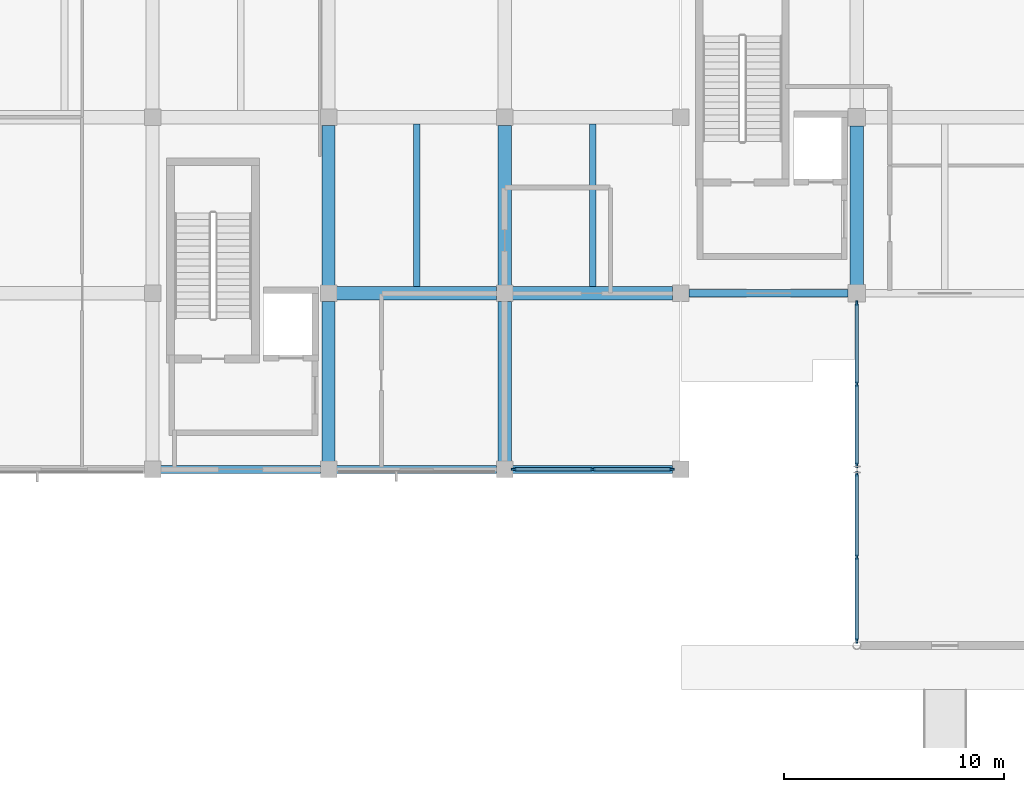
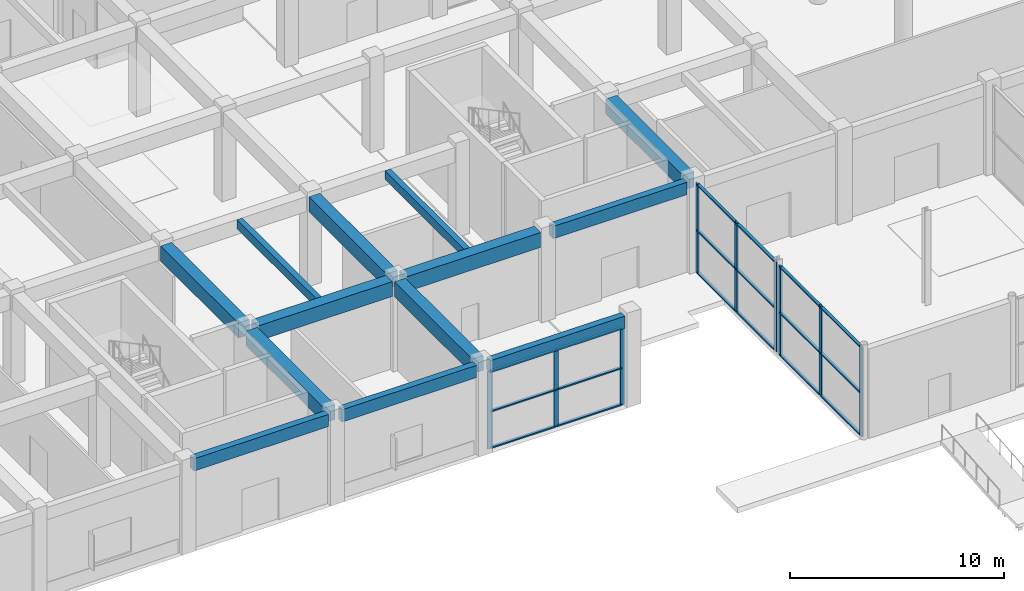
# One storey, part 15 of 86: 27 members, 13 beams, 3 elements without a shape of their own.
"""IFC4 building model written with IfcOpenShell, lengths in metres."""

from ifc_helpers import new_model, si_unit, direction, frame, origin, origin_2d, place, context, subcontext, project, spatial, rectangle, extrude, material, material_profile, profile_set, type_object, element, aggregate, save


model = new_model("IFC4")

# Units and contexts
model_context = context("Model", 3, precision=1e-05, world=origin(), true_north=direction((0.0, 1.0)))
body_context = subcontext(model_context, "Body", "Model", "MODEL_VIEW")
ifc_project = project(units=[si_unit("LENGTHUNIT", "METRE"), si_unit("AREAUNIT", "SQUARE_METRE"), si_unit("VOLUMEUNIT", "CUBIC_METRE"), si_unit("PLANEANGLEUNIT", "RADIAN"), si_unit("MASSUNIT", "GRAM", prefix="KILO")], contexts=[model_context])

# Site, building, storey
site_placement = place(None, origin())
site = spatial("IfcSite", under=ifc_project, at=site_placement, CompositionType="ELEMENT")
building_placement = place(site_placement, origin())
building = spatial("IfcBuilding", under=site, at=building_placement, Name="Kenh Van Central Station", CompositionType="ELEMENT")
storey_placement = place(building_placement, origin())
storey = spatial("IfcBuildingStorey", under=building, at=storey_placement, Name="L00", CompositionType="ELEMENT", Elevation=0.0)

# Beams
ifc_material_1 = material(Name="Concrete C35/45", Category="concrete")
ifc_material_profile_1 = material_profile(ifc_material_1, rectangle(XDim=0.60009765625, YDim=0.85009765625, at=origin_2d()), Name="RC 600x850")
ifc_profile_set_1 = profile_set([ifc_material_profile_1], Name="Concrete C35/45")
beam_type_1 = type_object("IfcBeamType", Name="BM-RC-600x850", PredefinedType="BEAM", material=ifc_profile_set_1)
for number, where, z_axis, x_axis, name in (
    (1, (32.364990234375, 16.0, 4.695068359375), (1.0, 0.0, 0.0), (0.0, 1.0, 0.0), "L00 beam 0362"),
    (2, (40.364990234375, 16.0, 4.695068359375), (1.0, 0.0, 0.0), (0.0, 1.0, 0.0), "L00 beam 0363"),
    (3, (32.0, 8.364990234375, 4.695068359375), (0.0, 1.0, 0.0), (-1.0, 0.0, 0.0), "L00 beam 0487"),
    (4, (32.0, 16.364990234375, 4.695068359375), (0.0, 1.0, 0.0), (-1.0, 0.0, 0.0), "L00 beam 0488"),
    (5, (40.0, 8.364990234375, 4.695068359375), (0.0, 1.0, 0.0), (-1.0, 0.0, 0.0), "L00 beam 0494"),
    (6, (40.0, 16.364990234375, 4.695068359375), (0.0, 1.0, 0.0), (-1.0, 0.0, 0.0), "L00 beam 0495"),
):
    element("IfcBeam", number, at=place(storey_placement, frame(where, z_axis=z_axis, x_axis=x_axis)), inside=storey, type_object=beam_type_1, Name=name, PredefinedType="BEAM", context=body_context, shape_type="SweptSolid", body=[
        extrude(rectangle(XDim=0.60009765625, YDim=0.85009765625, at=origin_2d()), origin(), (0.0, 0.0, 1.0), 7.27001953125),
    ])
beam_1_placement = place(storey_placement, frame((56.0, 16.389892578125, 4.695068359375), z_axis=(0.0, 1.0, 0.0), x_axis=(-1.0, 0.0, 0.0)))
element("IfcBeam", 7, at=beam_1_placement, inside=storey, type_object=beam_type_1, Name="L00 beam 0501", PredefinedType="BEAM", context=body_context, shape_type="SweptSolid", body=[
    extrude(rectangle(XDim=0.60009765625, YDim=0.85009765625, at=origin_2d()), origin(), (0.0, 0.0, 1.0), 7.22021484375),
])

# Curtain wall, members
ifc_material_2 = material(Name="Champagne anodised aluminium", Category="aluminium")
curtain_wall_type_1 = type_object("IfcCurtainWallType", Name="CW-RETL-A", PredefinedType="NOTDEFINED", material=ifc_material_2)
curtain_wall_1_placement = place(storey_placement, origin())
curtain_wall_1 = element("IfcCurtainWall", 8, at=curtain_wall_1_placement, inside=storey, type_object=curtain_wall_type_1, Name="L00 curtain wall 039", PredefinedType="NOTDEFINED")
ifc_material_profile_2 = material_profile(ifc_material_2, rectangle(XDim=0.0849609375, YDim=0.23193359375, at=origin_2d()), Name="AL 85x232")
ifc_profile_set_2 = profile_set([ifc_material_profile_2], Name="Champagne anodised aluminium")
member_type_1 = type_object("IfcMemberType", Name="CWM-65x160", PredefinedType="MULLION", material=ifc_profile_set_2)
member_1_placement = place(storey_placement, frame((56.0, 15.5576171875, 0.0), z_axis=(0.0, 0.0, 1.0), x_axis=(1.0, 0.0, 0.0)))
member_1 = element("IfcMember", 9, at=member_1_placement, type_object=member_type_1, Name="CW-05 mullion 1", PredefinedType="MULLION", context=body_context, shape_type="SweptSolid", body=[
    extrude(rectangle(XDim=0.0849609375, YDim=0.23193359375, at=origin_2d()), origin(), (0.0, 0.0, 1.0), 5.10009765625),
])
member_2_placement = place(storey_placement, frame((56.0, 11.875, 0.0), z_axis=(0.0, 0.0, 1.0), x_axis=(1.0, 0.0, 0.0)))
member_2 = element("IfcMember", 10, at=member_2_placement, type_object=member_type_1, Name="CW-05 mullion 2", PredefinedType="MULLION", context=body_context, shape_type="SweptSolid", body=[
    extrude(rectangle(XDim=0.0849609375, YDim=0.23193359375, at=origin_2d()), origin(), (0.0, 0.0, 1.0), 5.10009765625),
])
member_3_placement = place(storey_placement, frame((56.0, 8.1923828125, 0.0), z_axis=(0.0, 0.0, 1.0), x_axis=(1.0, 0.0, 0.0)))
member_3 = element("IfcMember", 11, at=member_3_placement, type_object=member_type_1, Name="CW-05 mullion 3", PredefinedType="MULLION", context=body_context, shape_type="SweptSolid", body=[
    extrude(rectangle(XDim=0.0849609375, YDim=0.23193359375, at=origin_2d()), origin(), (0.0, 0.0, 1.0), 5.10009765625),
])

curtain_wall_2_placement = place(storey_placement, origin())
curtain_wall_2 = element("IfcCurtainWall", 12, at=curtain_wall_2_placement, inside=storey, type_object=curtain_wall_type_1, Name="L00 curtain wall 040", PredefinedType="NOTDEFINED")
member_4_placement = place(storey_placement, frame((56.0, 7.8076171875, 0.0), z_axis=(0.0, 0.0, 1.0), x_axis=(1.0, 0.0, 0.0)))
member_4 = element("IfcMember", 13, at=member_4_placement, type_object=member_type_1, Name="CW-05 mullion 1", PredefinedType="MULLION", context=body_context, shape_type="SweptSolid", body=[
    extrude(rectangle(XDim=0.0849609375, YDim=0.23193359375, at=origin_2d()), origin(), (0.0, 0.0, 1.0), 5.10009765625),
])
member_5_placement = place(storey_placement, frame((56.0, 4.013916015625, 0.0), z_axis=(0.0, 0.0, 1.0), x_axis=(1.0, 0.0, 0.0)))
member_5 = element("IfcMember", 14, at=member_5_placement, type_object=member_type_1, Name="CW-05 mullion 2", PredefinedType="MULLION", context=body_context, shape_type="SweptSolid", body=[
    extrude(rectangle(XDim=0.0849609375, YDim=0.23193359375, at=origin_2d()), origin(), (0.0, 0.0, 1.0), 5.10009765625),
])
member_6_placement = place(storey_placement, frame((56.0, 0.22021484375, 0.0), z_axis=(0.0, 0.0, 1.0), x_axis=(1.0, 0.0, 0.0)))
member_6 = element("IfcMember", 15, at=member_6_placement, type_object=member_type_1, Name="CW-05 mullion 3", PredefinedType="MULLION", context=body_context, shape_type="SweptSolid", body=[
    extrude(rectangle(XDim=0.0849609375, YDim=0.23193359375, at=origin_2d()), origin(), (0.0, 0.0, 1.0), 5.10009765625),
])

curtain_wall_type_2 = type_object("IfcCurtainWallType", Name="CW-RETL-B", PredefinedType="NOTDEFINED", material=ifc_material_2)
curtain_wall_3_placement = place(storey_placement, origin())
curtain_wall_3 = element("IfcCurtainWall", 16, at=curtain_wall_3_placement, inside=storey, type_object=curtain_wall_type_2, Name="L00 curtain wall 048", PredefinedType="NOTDEFINED")
member_7_placement = place(storey_placement, frame((40.41748046875, 8.0, 0.0), z_axis=(0.0, 0.0, 1.0), x_axis=(0.0, 1.0, 0.0)))
member_7 = element("IfcMember", 17, at=member_7_placement, type_object=member_type_1, Name="CW-06 mullion 1", PredefinedType="MULLION", context=body_context, shape_type="SweptSolid", body=[
    extrude(rectangle(XDim=0.0849609375, YDim=0.23193359375, at=origin_2d()), origin(), (0.0, 0.0, 1.0), 4.419921875),
])
member_8_placement = place(storey_placement, frame((44.0, 8.0, 0.0), z_axis=(0.0, 0.0, 1.0), x_axis=(0.0, 1.0, 0.0)))
member_8 = element("IfcMember", 18, at=member_8_placement, type_object=member_type_1, Name="CW-06 mullion 2", PredefinedType="MULLION", context=body_context, shape_type="SweptSolid", body=[
    extrude(rectangle(XDim=0.0849609375, YDim=0.23193359375, at=origin_2d()), origin(), (0.0, 0.0, 1.0), 4.419921875),
])
member_9_placement = place(storey_placement, frame((47.58251953125, 8.0, 0.0), z_axis=(0.0, 0.0, 1.0), x_axis=(0.0, 1.0, 0.0)))
member_9 = element("IfcMember", 19, at=member_9_placement, type_object=member_type_1, Name="CW-06 mullion 3", PredefinedType="MULLION", context=body_context, shape_type="SweptSolid", body=[
    extrude(rectangle(XDim=0.0849609375, YDim=0.23193359375, at=origin_2d()), origin(), (0.0, 0.0, 1.0), 4.419921875),
])

# Member
ifc_material_profile_3 = material_profile(ifc_material_2, rectangle(XDim=0.155029296875, YDim=0.072021484375, at=origin_2d()), Name="AL 155x72")
ifc_profile_set_3 = profile_set([ifc_material_profile_3], Name="Champagne anodised aluminium")
member_type_2 = type_object("IfcMemberType", Name="CWT-120x60", PredefinedType="USERDEFINED", material=ifc_profile_set_3)
member_10_placement = place(storey_placement, frame((56.0, 15.514892578125, 0.035888671875), z_axis=(0.0, -1.0, 0.0), x_axis=(1.0, 0.0, 0.0)))
member_10 = element("IfcMember", 20, at=member_10_placement, type_object=member_type_2, Name="CW-05 transom 1.1", ObjectType="TRANSOM", PredefinedType="USERDEFINED", context=body_context, shape_type="SweptSolid", body=[
    extrude(rectangle(XDim=0.155029296875, YDim=0.072021484375, at=origin_2d()), origin(), (0.0, 0.0, 1.0), 3.597412109375),
])

member_11_placement = place(storey_placement, frame((56.0, 15.514892578125, 2.447998046875), z_axis=(0.0, -1.0, 0.0), x_axis=(1.0, 0.0, 0.0)))
member_11 = element("IfcMember", 21, at=member_11_placement, type_object=member_type_2, Name="CW-05 transom 1.2", ObjectType="TRANSOM", PredefinedType="USERDEFINED", context=body_context, shape_type="SweptSolid", body=[
    extrude(rectangle(XDim=0.155029296875, YDim=0.072021484375, at=origin_2d()), origin(), (0.0, 0.0, 1.0), 3.597412109375),
])

member_12_placement = place(storey_placement, frame((56.0, 15.514892578125, 5.06396484375), z_axis=(0.0, -1.0, 0.0), x_axis=(1.0, 0.0, 0.0)))
member_12 = element("IfcMember", 22, at=member_12_placement, type_object=member_type_2, Name="CW-05 transom 1.3", ObjectType="TRANSOM", PredefinedType="USERDEFINED", context=body_context, shape_type="SweptSolid", body=[
    extrude(rectangle(XDim=0.155029296875, YDim=0.072021484375, at=origin_2d()), origin(), (0.0, 0.0, 1.0), 3.597412109375),
])

member_13_placement = place(storey_placement, frame((56.0, 11.83251953125, 0.035888671875), z_axis=(0.0, -1.0, 0.0), x_axis=(1.0, 0.0, 0.0)))
member_13 = element("IfcMember", 23, at=member_13_placement, type_object=member_type_2, Name="CW-05 transom 2.1", ObjectType="TRANSOM", PredefinedType="USERDEFINED", context=body_context, shape_type="SweptSolid", body=[
    extrude(rectangle(XDim=0.155029296875, YDim=0.072021484375, at=origin_2d()), origin(), (0.0, 0.0, 1.0), 3.597412109375),
])

member_14_placement = place(storey_placement, frame((56.0, 11.83251953125, 2.447998046875), z_axis=(0.0, -1.0, 0.0), x_axis=(1.0, 0.0, 0.0)))
member_14 = element("IfcMember", 24, at=member_14_placement, type_object=member_type_2, Name="CW-05 transom 2.2", ObjectType="TRANSOM", PredefinedType="USERDEFINED", context=body_context, shape_type="SweptSolid", body=[
    extrude(rectangle(XDim=0.155029296875, YDim=0.072021484375, at=origin_2d()), origin(), (0.0, 0.0, 1.0), 3.597412109375),
])

member_15_placement = place(storey_placement, frame((56.0, 11.83251953125, 5.06396484375), z_axis=(0.0, -1.0, 0.0), x_axis=(1.0, 0.0, 0.0)))
member_15 = element("IfcMember", 25, at=member_15_placement, type_object=member_type_2, Name="CW-05 transom 2.3", ObjectType="TRANSOM", PredefinedType="USERDEFINED", context=body_context, shape_type="SweptSolid", body=[
    extrude(rectangle(XDim=0.155029296875, YDim=0.072021484375, at=origin_2d()), origin(), (0.0, 0.0, 1.0), 3.597412109375),
])

aggregate(curtain_wall_1, [member_1, member_2, member_3, member_10, member_11, member_12, member_13, member_14, member_15])

member_16_placement = place(storey_placement, frame((56.0, 7.764892578125, 0.035888671875), z_axis=(0.0, -1.0, 0.0), x_axis=(1.0, 0.0, 0.0)))
member_16 = element("IfcMember", 26, at=member_16_placement, type_object=member_type_2, Name="CW-05 transom 1.1", ObjectType="TRANSOM", PredefinedType="USERDEFINED", context=body_context, shape_type="SweptSolid", body=[
    extrude(rectangle(XDim=0.155029296875, YDim=0.072021484375, at=origin_2d()), origin(), (0.0, 0.0, 1.0), 3.70849609375),
])

member_17_placement = place(storey_placement, frame((56.0, 7.764892578125, 2.447998046875), z_axis=(0.0, -1.0, 0.0), x_axis=(1.0, 0.0, 0.0)))
member_17 = element("IfcMember", 27, at=member_17_placement, type_object=member_type_2, Name="CW-05 transom 1.2", ObjectType="TRANSOM", PredefinedType="USERDEFINED", context=body_context, shape_type="SweptSolid", body=[
    extrude(rectangle(XDim=0.155029296875, YDim=0.072021484375, at=origin_2d()), origin(), (0.0, 0.0, 1.0), 3.70849609375),
])

member_18_placement = place(storey_placement, frame((56.0, 7.764892578125, 5.06396484375), z_axis=(0.0, -1.0, 0.0), x_axis=(1.0, 0.0, 0.0)))
member_18 = element("IfcMember", 28, at=member_18_placement, type_object=member_type_2, Name="CW-05 transom 1.3", ObjectType="TRANSOM", PredefinedType="USERDEFINED", context=body_context, shape_type="SweptSolid", body=[
    extrude(rectangle(XDim=0.155029296875, YDim=0.072021484375, at=origin_2d()), origin(), (0.0, 0.0, 1.0), 3.70849609375),
])

member_19_placement = place(storey_placement, frame((56.0, 3.971435546875, 0.035888671875), z_axis=(0.0, -1.0, 0.0), x_axis=(1.0, 0.0, 0.0)))
member_19 = element("IfcMember", 29, at=member_19_placement, type_object=member_type_2, Name="CW-05 transom 2.1", ObjectType="TRANSOM", PredefinedType="USERDEFINED", context=body_context, shape_type="SweptSolid", body=[
    extrude(rectangle(XDim=0.155029296875, YDim=0.072021484375, at=origin_2d()), origin(), (0.0, 0.0, 1.0), 3.708740234375),
])

member_20_placement = place(storey_placement, frame((56.0, 3.971435546875, 2.447998046875), z_axis=(0.0, -1.0, 0.0), x_axis=(1.0, 0.0, 0.0)))
member_20 = element("IfcMember", 30, at=member_20_placement, type_object=member_type_2, Name="CW-05 transom 2.2", ObjectType="TRANSOM", PredefinedType="USERDEFINED", context=body_context, shape_type="SweptSolid", body=[
    extrude(rectangle(XDim=0.155029296875, YDim=0.072021484375, at=origin_2d()), origin(), (0.0, 0.0, 1.0), 3.708740234375),
])

member_21_placement = place(storey_placement, frame((56.0, 3.971435546875, 5.06396484375), z_axis=(0.0, -1.0, 0.0), x_axis=(1.0, 0.0, 0.0)))
member_21 = element("IfcMember", 31, at=member_21_placement, type_object=member_type_2, Name="CW-05 transom 2.3", ObjectType="TRANSOM", PredefinedType="USERDEFINED", context=body_context, shape_type="SweptSolid", body=[
    extrude(rectangle(XDim=0.155029296875, YDim=0.072021484375, at=origin_2d()), origin(), (0.0, 0.0, 1.0), 3.708740234375),
])

aggregate(curtain_wall_2, [member_4, member_5, member_6, member_16, member_17, member_18, member_19, member_20, member_21])

member_22_placement = place(storey_placement, frame((40.4599609375, 8.0, 0.035888671875), z_axis=(1.0, 0.0, 0.0), x_axis=(0.0, 1.0, 0.0)))
member_22 = element("IfcMember", 32, at=member_22_placement, type_object=member_type_2, Name="CW-06 transom 1.1", ObjectType="TRANSOM", PredefinedType="USERDEFINED", context=body_context, shape_type="SweptSolid", body=[
    extrude(rectangle(XDim=0.155029296875, YDim=0.072021484375, at=origin_2d()), origin(), (0.0, 0.0, 1.0), 3.49755859375),
])

member_23_placement = place(storey_placement, frame((40.4599609375, 8.0, 2.12158203125), z_axis=(1.0, 0.0, 0.0), x_axis=(0.0, 1.0, 0.0)))
member_23 = element("IfcMember", 33, at=member_23_placement, type_object=member_type_2, Name="CW-06 transom 1.2", ObjectType="TRANSOM", PredefinedType="USERDEFINED", context=body_context, shape_type="SweptSolid", body=[
    extrude(rectangle(XDim=0.155029296875, YDim=0.072021484375, at=origin_2d()), origin(), (0.0, 0.0, 1.0), 3.49755859375),
])

member_24_placement = place(storey_placement, frame((40.4599609375, 8.0, 4.384033203125), z_axis=(1.0, 0.0, 0.0), x_axis=(0.0, 1.0, 0.0)))
member_24 = element("IfcMember", 34, at=member_24_placement, type_object=member_type_2, Name="CW-06 transom 1.3", ObjectType="TRANSOM", PredefinedType="USERDEFINED", context=body_context, shape_type="SweptSolid", body=[
    extrude(rectangle(XDim=0.155029296875, YDim=0.072021484375, at=origin_2d()), origin(), (0.0, 0.0, 1.0), 3.49755859375),
])

member_25_placement = place(storey_placement, frame((44.04248046875, 8.0, 0.035888671875), z_axis=(1.0, 0.0, 0.0), x_axis=(0.0, 1.0, 0.0)))
member_25 = element("IfcMember", 35, at=member_25_placement, type_object=member_type_2, Name="CW-06 transom 2.1", ObjectType="TRANSOM", PredefinedType="USERDEFINED", context=body_context, shape_type="SweptSolid", body=[
    extrude(rectangle(XDim=0.155029296875, YDim=0.072021484375, at=origin_2d()), origin(), (0.0, 0.0, 1.0), 3.49755859375),
])

member_26_placement = place(storey_placement, frame((44.04248046875, 8.0, 2.12158203125), z_axis=(1.0, 0.0, 0.0), x_axis=(0.0, 1.0, 0.0)))
member_26 = element("IfcMember", 36, at=member_26_placement, type_object=member_type_2, Name="CW-06 transom 2.2", ObjectType="TRANSOM", PredefinedType="USERDEFINED", context=body_context, shape_type="SweptSolid", body=[
    extrude(rectangle(XDim=0.155029296875, YDim=0.072021484375, at=origin_2d()), origin(), (0.0, 0.0, 1.0), 3.49755859375),
])

member_27_placement = place(storey_placement, frame((44.04248046875, 8.0, 4.384033203125), z_axis=(1.0, 0.0, 0.0), x_axis=(0.0, 1.0, 0.0)))
member_27 = element("IfcMember", 37, at=member_27_placement, type_object=member_type_2, Name="CW-06 transom 2.3", ObjectType="TRANSOM", PredefinedType="USERDEFINED", context=body_context, shape_type="SweptSolid", body=[
    extrude(rectangle(XDim=0.155029296875, YDim=0.072021484375, at=origin_2d()), origin(), (0.0, 0.0, 1.0), 3.49755859375),
])

aggregate(curtain_wall_3, [member_7, member_8, member_9, member_22, member_23, member_24, member_25, member_26, member_27])

# Beams
ifc_material_profile_4 = material_profile(ifc_material_1, rectangle(XDim=0.300048828125, YDim=0.5, at=origin_2d()), Name="RC 300x500")
ifc_profile_set_4 = profile_set([ifc_material_profile_4], Name="Concrete C35/45")
beam_type_2 = type_object("IfcBeamType", Name="JST-RC-300x500", PredefinedType="JOIST", material=ifc_profile_set_4)
for number, where, z_axis, x_axis, name in (
    (38, (36.0, 16.300048828125, 4.8701171875), (0.0, 1.0, 0.0), (-1.0, 0.0, 0.0), "L00 floor joist 0594"),
    (39, (44.0, 16.300048828125, 4.8701171875), (0.0, 1.0, 0.0), (-1.0, 0.0, 0.0), "L00 floor joist 0596"),
):
    element("IfcBeam", number, at=place(storey_placement, frame(where, z_axis=z_axis, x_axis=x_axis)), inside=storey, type_object=beam_type_2, Name=name, PredefinedType="JOIST", context=body_context, shape_type="SweptSolid", body=[
        extrude(rectangle(XDim=0.300048828125, YDim=0.5, at=origin_2d()), origin(), (0.0, 0.0, 1.0), 7.39990234375),
    ])
ifc_material_profile_5 = material_profile(ifc_material_1, rectangle(XDim=0.35009765625, YDim=0.699951171875, at=origin_2d()), Name="RC 350x700")
ifc_profile_set_5 = profile_set([ifc_material_profile_5], Name="Concrete C35/45")
beam_type_3 = type_object("IfcBeamType", Name="SPD-RC-350x700", PredefinedType="SPANDREL", material=ifc_profile_set_5)
for number, where, z_axis, x_axis, name in (
    (40, (24.364990234375, 8.0, 4.77001953125), (1.0, 0.0, 0.0), (0.0, 1.0, 0.0), "L00 beam 0351"),
    (41, (32.364990234375, 8.0, 4.77001953125), (1.0, 0.0, 0.0), (0.0, 1.0, 0.0), "L00 beam 0352"),
    (42, (40.364990234375, 8.0, 4.77001953125), (1.0, 0.0, 0.0), (0.0, 1.0, 0.0), "L00 beam 0353"),
):
    element("IfcBeam", number, at=place(storey_placement, frame(where, z_axis=z_axis, x_axis=x_axis)), inside=storey, type_object=beam_type_3, Name=name, PredefinedType="SPANDREL", context=body_context, shape_type="SweptSolid", body=[
        extrude(rectangle(XDim=0.35009765625, YDim=0.699951171875, at=origin_2d()), origin(), (0.0, 0.0, 1.0), 7.27001953125),
    ])
beam_2_placement = place(storey_placement, frame((48.364990234375, 16.0, 4.77001953125), z_axis=(1.0, 0.0, 0.0), x_axis=(0.0, 1.0, 0.0)))
element("IfcBeam", 43, at=beam_2_placement, inside=storey, type_object=beam_type_3, Name="L00 beam 0364", PredefinedType="SPANDREL", context=body_context, shape_type="SweptSolid", body=[
    extrude(rectangle(XDim=0.35009765625, YDim=0.699951171875, at=origin_2d()), origin(), (0.0, 0.0, 1.0), 7.2451171875),
])

save(model, "model.ifc")
